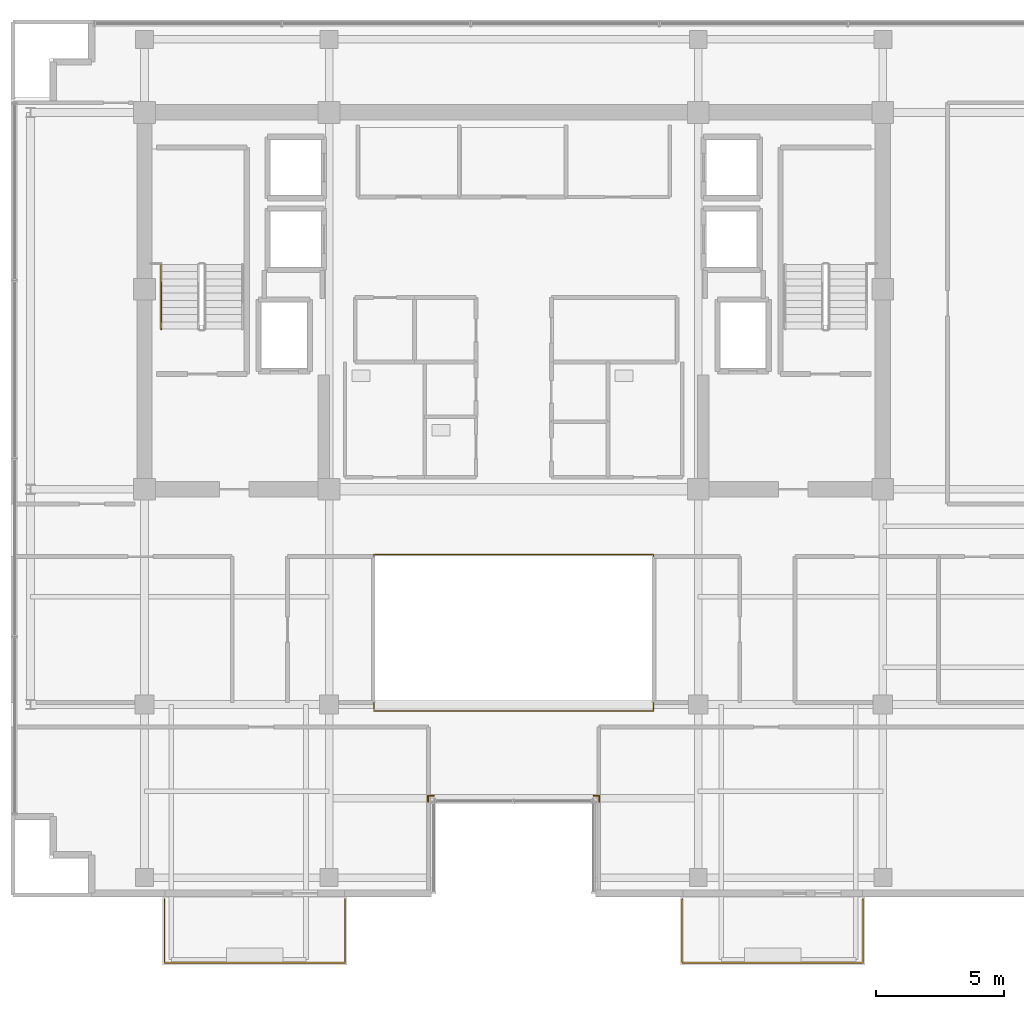
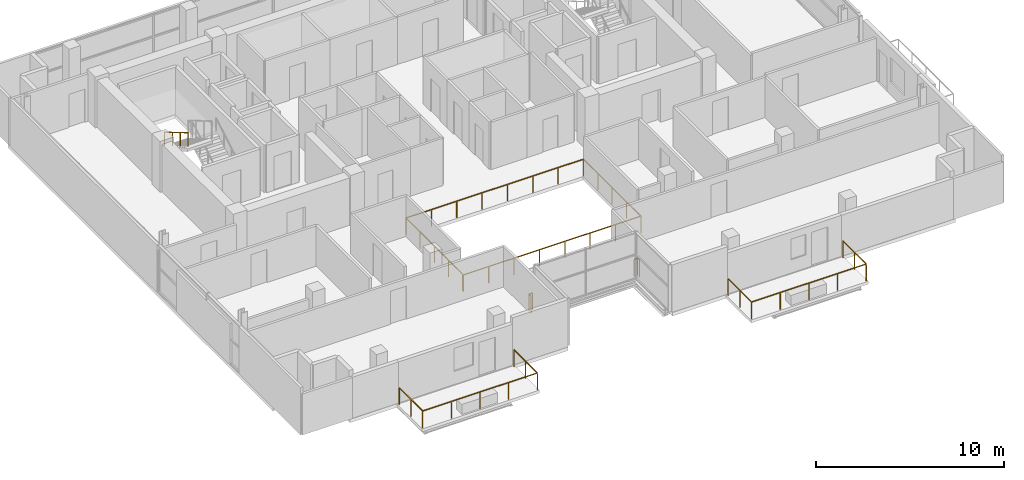
# One storey, part 19 of 22: 8 railings.
"""IFC4 building model written with IfcOpenShell, lengths in metres."""

from ifc_helpers import new_model, si_unit, direction, frame, origin, origin_2d, place, context, subcontext, project, spatial, rectangle, extrude, material, type_object, element, save


model = new_model("IFC4")

# Units and contexts
model_context = context("Model", 3, precision=1e-05, world=origin(), true_north=direction((0.0, 1.0)))
body_context = subcontext(model_context, "Body", "Model", "MODEL_VIEW")
ifc_project = project(units=[si_unit("LENGTHUNIT", "METRE"), si_unit("AREAUNIT", "SQUARE_METRE"), si_unit("VOLUMEUNIT", "CUBIC_METRE"), si_unit("PLANEANGLEUNIT", "RADIAN"), si_unit("MASSUNIT", "GRAM", prefix="KILO")], contexts=[model_context])

# Site, building, storey
site_placement = place(None, origin())
site = spatial("IfcSite", under=ifc_project, at=site_placement, CompositionType="ELEMENT")
building_placement = place(site_placement, origin())
building = spatial("IfcBuilding", under=site, at=building_placement, Name="Zarnakvel Exchange Tower", CompositionType="ELEMENT")
storey_placement = place(building_placement, frame((0.0, 0.0, 245.199951171875)))
storey = spatial("IfcBuildingStorey", under=building, at=storey_placement, Name="L69", CompositionType="ELEMENT", Elevation=245.199951171875)

# Railings
ifc_material_1 = material(Name="Architectural Bronze Anodised Aluminium", Category="aluminium")
railing_type_1 = type_object("IfcRailingType", Name="GR-02", PredefinedType="GUARDRAIL", material=ifc_material_1)
railing_1_placement = place(storey_placement, frame((-13.6201171875, -17.179931640625, -0.034912109375)))
element("IfcRailing", 1, at=railing_1_placement, inside=storey, type_object=railing_type_1, Name="L69 Balcony Guardrail BAL-L69-SW", PredefinedType="GUARDRAIL", context=body_context, shape_type="SweptSolid", body=[
    extrude(rectangle(XDim=0.048095703125, YDim=0.048095703125, at=origin_2d()), frame((0.0, 0.0, 1.09619140625), z_axis=(0.0, -1.0, 0.0), x_axis=(1.0, 0.0, 0.0)), (0.0, 0.0, 1.0), 2.489990234375),
    extrude(rectangle(XDim=0.048095703125, YDim=0.048095703125, at=origin_2d()), frame((0.0, -2.489990234375, 1.09619140625), z_axis=(1.0, 0.0, 0.0), x_axis=(0.0, 1.0, 0.0)), (0.0, 0.0, 1.0), 7.0400390625),
    extrude(rectangle(XDim=0.048095703125, YDim=0.048095703125, at=origin_2d()), frame((7.0400390625, -2.489990234375, 1.09619140625), z_axis=(0.0, 1.0, 0.0), x_axis=(-1.0, 0.0, 0.0)), (0.0, 0.0, 1.0), 2.489990234375),
    extrude(rectangle(XDim=0.0419921875, YDim=0.0419921875, at=origin_2d()), origin(), (0.0, 0.0, 1.0), 1.072021484375),
    extrude(rectangle(XDim=0.0419921875, YDim=0.0419921875, at=origin_2d()), frame((0.0, -1.2451171875, 0.0)), (0.0, 0.0, 1.0), 1.072021484375),
    extrude(rectangle(XDim=0.0419921875, YDim=0.0419921875, at=origin_2d()), frame((0.0, -2.489990234375, 0.0)), (0.0, 0.0, 1.0), 1.072021484375),
    extrude(rectangle(XDim=0.0419921875, YDim=0.0419921875, at=origin_2d()), frame((1.760009765625, -2.489990234375, 0.0)), (0.0, 0.0, 1.0), 1.072021484375),
    extrude(rectangle(XDim=0.0419921875, YDim=0.0419921875, at=origin_2d()), frame((3.52001953125, -2.489990234375, 0.0)), (0.0, 0.0, 1.0), 1.072021484375),
    extrude(rectangle(XDim=0.0419921875, YDim=0.0419921875, at=origin_2d()), frame((5.280029296875, -2.489990234375, 0.0)), (0.0, 0.0, 1.0), 1.072021484375),
    extrude(rectangle(XDim=0.0419921875, YDim=0.0419921875, at=origin_2d()), frame((7.0400390625, -2.489990234375, 0.0)), (0.0, 0.0, 1.0), 1.072021484375),
    extrude(rectangle(XDim=0.0419921875, YDim=0.0419921875, at=origin_2d()), frame((7.0400390625, -1.2451171875, 0.0)), (0.0, 0.0, 1.0), 1.072021484375),
    extrude(rectangle(XDim=0.0419921875, YDim=0.0419921875, at=origin_2d()), frame((7.0400390625, 0.0, 0.0)), (0.0, 0.0, 1.0), 1.072021484375),
])
railing_2_placement = place(storey_placement, frame((6.580078125, -17.179931640625, -0.034912109375)))
element("IfcRailing", 2, at=railing_2_placement, inside=storey, type_object=railing_type_1, Name="L69 Balcony Guardrail BAL-L69-SE", PredefinedType="GUARDRAIL", context=body_context, shape_type="SweptSolid", body=[
    extrude(rectangle(XDim=0.048095703125, YDim=0.048095703125, at=origin_2d()), frame((0.0, 0.0, 1.09619140625), z_axis=(0.0, -1.0, 0.0), x_axis=(1.0, 0.0, 0.0)), (0.0, 0.0, 1.0), 2.489990234375),
    extrude(rectangle(XDim=0.048095703125, YDim=0.048095703125, at=origin_2d()), frame((0.0, -2.489990234375, 1.09619140625), z_axis=(1.0, 0.0, 0.0), x_axis=(0.0, 1.0, 0.0)), (0.0, 0.0, 1.0), 7.0400390625),
    extrude(rectangle(XDim=0.048095703125, YDim=0.048095703125, at=origin_2d()), frame((7.0400390625, -2.489990234375, 1.09619140625), z_axis=(0.0, 1.0, 0.0), x_axis=(-1.0, 0.0, 0.0)), (0.0, 0.0, 1.0), 2.489990234375),
    extrude(rectangle(XDim=0.0419921875, YDim=0.0419921875, at=origin_2d()), origin(), (0.0, 0.0, 1.0), 1.072021484375),
    extrude(rectangle(XDim=0.0419921875, YDim=0.0419921875, at=origin_2d()), frame((0.0, -1.2451171875, 0.0)), (0.0, 0.0, 1.0), 1.072021484375),
    extrude(rectangle(XDim=0.0419921875, YDim=0.0419921875, at=origin_2d()), frame((0.0, -2.489990234375, 0.0)), (0.0, 0.0, 1.0), 1.072021484375),
    extrude(rectangle(XDim=0.0419921875, YDim=0.0419921875, at=origin_2d()), frame((1.760009765625, -2.489990234375, 0.0)), (0.0, 0.0, 1.0), 1.072021484375),
    extrude(rectangle(XDim=0.0419921875, YDim=0.0419921875, at=origin_2d()), frame((3.52001953125, -2.489990234375, 0.0)), (0.0, 0.0, 1.0), 1.072021484375),
    extrude(rectangle(XDim=0.0419921875, YDim=0.0419921875, at=origin_2d()), frame((5.280029296875, -2.489990234375, 0.0)), (0.0, 0.0, 1.0), 1.072021484375),
    extrude(rectangle(XDim=0.0419921875, YDim=0.0419921875, at=origin_2d()), frame((7.0400390625, -2.489990234375, 0.0)), (0.0, 0.0, 1.0), 1.072021484375),
    extrude(rectangle(XDim=0.0419921875, YDim=0.0419921875, at=origin_2d()), frame((7.0400390625, -1.2451171875, 0.0)), (0.0, 0.0, 1.0), 1.072021484375),
    extrude(rectangle(XDim=0.0419921875, YDim=0.0419921875, at=origin_2d()), frame((7.0400390625, 0.0, 0.0)), (0.0, 0.0, 1.0), 1.072021484375),
])
railing_3_placement = place(storey_placement, frame((3.340087890625, -13.3798828125, 0.0)))
element("IfcRailing", 3, at=railing_3_placement, inside=storey, type_object=railing_type_1, Name="L69 Corner Spandrel Balustrade #17", PredefinedType="GUARDRAIL", context=body_context, shape_type="SweptSolid", body=[
    extrude(rectangle(XDim=0.048095703125, YDim=0.048095703125, at=origin_2d()), frame((0.0, 0.0, 1.09619140625), z_axis=(0.0, 1.0, 0.0), x_axis=(-1.0, 0.0, 0.0)), (0.0, 0.0, 1.0), 0.219970703125),
    extrude(rectangle(XDim=0.0419921875, YDim=0.0419921875, at=origin_2d()), origin(), (0.0, 0.0, 1.0), 1.072021484375),
    extrude(rectangle(XDim=0.0419921875, YDim=0.0419921875, at=origin_2d()), frame((0.0, 0.219970703125, 0.0)), (0.0, 0.0, 1.0), 1.072021484375),
])
for number, where, name in (
    (4, (3.340087890625, -13.159912109375, 0.0), "L69 Corner Spandrel Balustrade #18"),
    (5, (-3.1201171875, -13.159912109375, 0.0), "L69 Corner Spandrel Balustrade #19"),
):
    element("IfcRailing", number, at=place(storey_placement, frame(where)), inside=storey, type_object=railing_type_1, Name=name, PredefinedType="GUARDRAIL", context=body_context, shape_type="SweptSolid", body=[
        extrude(rectangle(XDim=0.048095703125, YDim=0.048095703125, at=origin_2d()), frame((0.0, 0.0, 1.09619140625), z_axis=(-1.0, 0.0, 0.0), x_axis=(0.0, -1.0, 0.0)), (0.0, 0.0, 1.0), 0.219970703125),
        extrude(rectangle(XDim=0.0419921875, YDim=0.0419921875, at=origin_2d()), origin(), (0.0, 0.0, 1.0), 1.072021484375),
        extrude(rectangle(XDim=0.0419921875, YDim=0.0419921875, at=origin_2d()), frame((-0.219970703125, 0.0, 0.0)), (0.0, 0.0, 1.0), 1.072021484375),
    ])
railing_4_placement = place(storey_placement, frame((-3.340087890625, -13.159912109375, 0.0)))
element("IfcRailing", 6, at=railing_4_placement, inside=storey, type_object=railing_type_1, Name="L69 Corner Spandrel Balustrade #20", PredefinedType="GUARDRAIL", context=body_context, shape_type="SweptSolid", body=[
    extrude(rectangle(XDim=0.048095703125, YDim=0.048095703125, at=origin_2d()), frame((0.0, 0.0, 1.09619140625), z_axis=(0.0, -1.0, 0.0), x_axis=(1.0, 0.0, 0.0)), (0.0, 0.0, 1.0), 0.219970703125),
    extrude(rectangle(XDim=0.0419921875, YDim=0.0419921875, at=origin_2d()), origin(), (0.0, 0.0, 1.0), 1.072021484375),
    extrude(rectangle(XDim=0.0419921875, YDim=0.0419921875, at=origin_2d()), frame((0.0, -0.219970703125, 0.0)), (0.0, 0.0, 1.0), 1.072021484375),
])
railing_type_2 = type_object("IfcRailingType", Name="GR-03", PredefinedType="GUARDRAIL", material=ifc_material_1)
railing_5_placement = place(storey_placement, frame((-5.449951171875, -9.85009765625, 0.0)))
element("IfcRailing", 7, at=railing_5_placement, inside=storey, type_object=railing_type_2, Name="L69 Atrium Void Perimeter Balustrade", PredefinedType="GUARDRAIL", context=body_context, shape_type="SweptSolid", body=[
    extrude(rectangle(XDim=0.048095703125, YDim=0.048095703125, at=origin_2d()), frame((0.0, 0.0, 1.076171875), z_axis=(1.0, 0.0, 0.0), x_axis=(0.0, 1.0, 0.0)), (0.0, 0.0, 1.0), 10.89990234375),
    extrude(rectangle(XDim=0.048095703125, YDim=0.048095703125, at=origin_2d()), frame((10.89990234375, 0.0, 1.076171875), z_axis=(0.0, 1.0, 0.0), x_axis=(-1.0, 0.0, 0.0)), (0.0, 0.0, 1.0), 6.10009765625),
    extrude(rectangle(XDim=0.048095703125, YDim=0.048095703125, at=origin_2d()), frame((10.89990234375, 6.10009765625, 1.076171875), z_axis=(-1.0, 0.0, 0.0), x_axis=(0.0, -1.0, 0.0)), (0.0, 0.0, 1.0), 10.89990234375),
    extrude(rectangle(XDim=0.048095703125, YDim=0.048095703125, at=origin_2d()), frame((0.0, 6.10009765625, 1.076171875), z_axis=(0.0, -1.0, 0.0), x_axis=(1.0, 0.0, 0.0)), (0.0, 0.0, 1.0), 6.02001953125),
    extrude(rectangle(XDim=0.0419921875, YDim=0.0419921875, at=origin_2d()), origin(), (0.0, 0.0, 1.0), 1.052001953125),
    extrude(rectangle(XDim=0.0419921875, YDim=0.0419921875, at=origin_2d()), frame((1.55712890625, 0.0, 0.0)), (0.0, 0.0, 1.0), 1.052001953125),
    extrude(rectangle(XDim=0.0419921875, YDim=0.0419921875, at=origin_2d()), frame((3.1142578125, 0.0, 0.0)), (0.0, 0.0, 1.0), 1.052001953125),
    extrude(rectangle(XDim=0.0419921875, YDim=0.0419921875, at=origin_2d()), frame((4.67138671875, 0.0, 0.0)), (0.0, 0.0, 1.0), 1.052001953125),
    extrude(rectangle(XDim=0.0419921875, YDim=0.0419921875, at=origin_2d()), frame((6.228515625, 0.0, 0.0)), (0.0, 0.0, 1.0), 1.052001953125),
    extrude(rectangle(XDim=0.0419921875, YDim=0.0419921875, at=origin_2d()), frame((7.78564453125, 0.0, 0.0)), (0.0, 0.0, 1.0), 1.052001953125),
    extrude(rectangle(XDim=0.0419921875, YDim=0.0419921875, at=origin_2d()), frame((9.3427734375, 0.0, 0.0)), (0.0, 0.0, 1.0), 1.052001953125),
    extrude(rectangle(XDim=0.0419921875, YDim=0.0419921875, at=origin_2d()), frame((10.89990234375, 0.0, 0.0)), (0.0, 0.0, 1.0), 1.052001953125),
    extrude(rectangle(XDim=0.0419921875, YDim=0.0419921875, at=origin_2d()), frame((10.89990234375, 1.52490234375, 0.0)), (0.0, 0.0, 1.0), 1.052001953125),
    extrude(rectangle(XDim=0.0419921875, YDim=0.0419921875, at=origin_2d()), frame((10.89990234375, 3.050048828125, 0.0)), (0.0, 0.0, 1.0), 1.052001953125),
    extrude(rectangle(XDim=0.0419921875, YDim=0.0419921875, at=origin_2d()), frame((10.89990234375, 4.5751953125, 0.0)), (0.0, 0.0, 1.0), 1.052001953125),
    extrude(rectangle(XDim=0.0419921875, YDim=0.0419921875, at=origin_2d()), frame((10.89990234375, 6.10009765625, 0.0)), (0.0, 0.0, 1.0), 1.052001953125),
    extrude(rectangle(XDim=0.0419921875, YDim=0.0419921875, at=origin_2d()), frame((9.3427734375, 6.10009765625, 0.0)), (0.0, 0.0, 1.0), 1.052001953125),
    extrude(rectangle(XDim=0.0419921875, YDim=0.0419921875, at=origin_2d()), frame((7.78564453125, 6.10009765625, 0.0)), (0.0, 0.0, 1.0), 1.052001953125),
    extrude(rectangle(XDim=0.0419921875, YDim=0.0419921875, at=origin_2d()), frame((6.228515625, 6.10009765625, 0.0)), (0.0, 0.0, 1.0), 1.052001953125),
    extrude(rectangle(XDim=0.0419921875, YDim=0.0419921875, at=origin_2d()), frame((4.67138671875, 6.10009765625, 0.0)), (0.0, 0.0, 1.0), 1.052001953125),
    extrude(rectangle(XDim=0.0419921875, YDim=0.0419921875, at=origin_2d()), frame((3.1142578125, 6.10009765625, 0.0)), (0.0, 0.0, 1.0), 1.052001953125),
    extrude(rectangle(XDim=0.0419921875, YDim=0.0419921875, at=origin_2d()), frame((1.55712890625, 6.10009765625, 0.0)), (0.0, 0.0, 1.0), 1.052001953125),
    extrude(rectangle(XDim=0.0419921875, YDim=0.0419921875, at=origin_2d()), frame((0.0, 6.10009765625, 0.0)), (0.0, 0.0, 1.0), 1.052001953125),
    extrude(rectangle(XDim=0.0419921875, YDim=0.0419921875, at=origin_2d()), frame((0.0, 4.59521484375, 0.0)), (0.0, 0.0, 1.0), 1.052001953125),
    extrude(rectangle(XDim=0.0419921875, YDim=0.0419921875, at=origin_2d()), frame((0.0, 3.090087890625, 0.0)), (0.0, 0.0, 1.0), 1.052001953125),
    extrude(rectangle(XDim=0.0419921875, YDim=0.0419921875, at=origin_2d()), frame((0.0, 1.5849609375, 0.0)), (0.0, 0.0, 1.0), 1.052001953125),
    extrude(rectangle(XDim=0.0419921875, YDim=0.0419921875, at=origin_2d()), frame((0.0, 0.080078125, 0.0)), (0.0, 0.0, 1.0), 1.052001953125),
])
ifc_material_2 = material(Name="Brushed Stainless Steel", Category="steel")
railing_type_3 = type_object("IfcRailingType", Name="HR-01", PredefinedType="HANDRAIL", material=ifc_material_2)
railing_6_placement = place(storey_placement, frame((-13.75, 7.570068359375, 1.81494140625)))
element("IfcRailing", 8, at=railing_6_placement, inside=storey, type_object=railing_type_3, Name="L69 ST-01 stair handrail 2", PredefinedType="HANDRAIL", context=body_context, shape_type="SweptSolid", body=[
    extrude(rectangle(XDim=0.048095703125, YDim=0.048095703125, at=origin_2d()), frame((0.0, 0.0, 0.8759765625), z_axis=(0.0, -0.86152411907, 0.507716645641), x_axis=(1.0, 0.0, 0.0)), (0.0, 0.0, 1.0), 2.925048828125),
    extrude(rectangle(XDim=0.0419921875, YDim=0.0419921875, at=origin_2d()), origin(), (0.0, 0.0, 1.0), 0.851806640625),
    extrude(rectangle(XDim=0.0419921875, YDim=0.0419921875, at=origin_2d()), frame((0.0, -0.840087890625, 0.4951171875)), (0.0, 0.0, 1.0), 0.851806640625),
    extrude(rectangle(XDim=0.0419921875, YDim=0.0419921875, at=origin_2d()), frame((0.0, -1.679931640625, 0.989990234375)), (0.0, 0.0, 1.0), 0.851806640625),
    extrude(rectangle(XDim=0.0419921875, YDim=0.0419921875, at=origin_2d()), frame((0.0, -2.52001953125, 1.485107421875)), (0.0, 0.0, 1.0), 0.851806640625),
])

save(model, "model.ifc")
